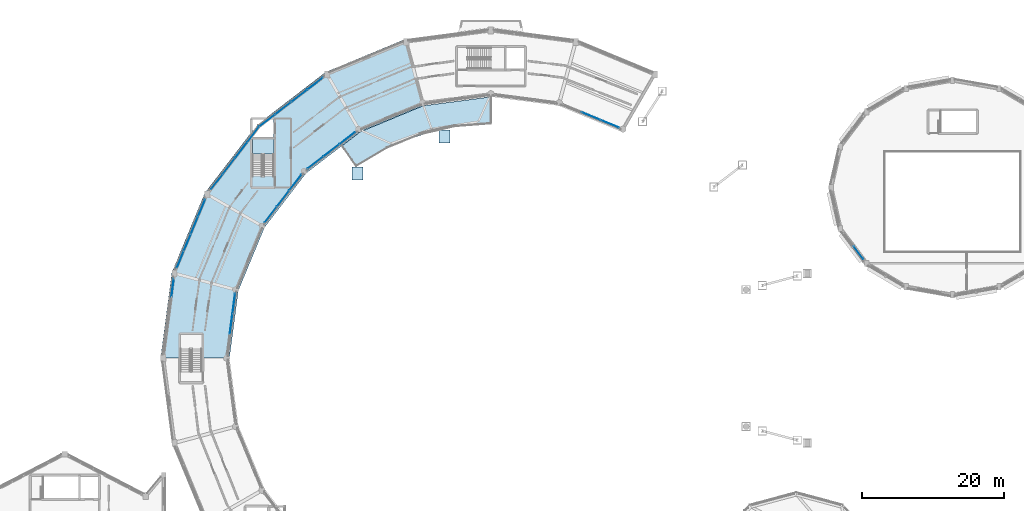
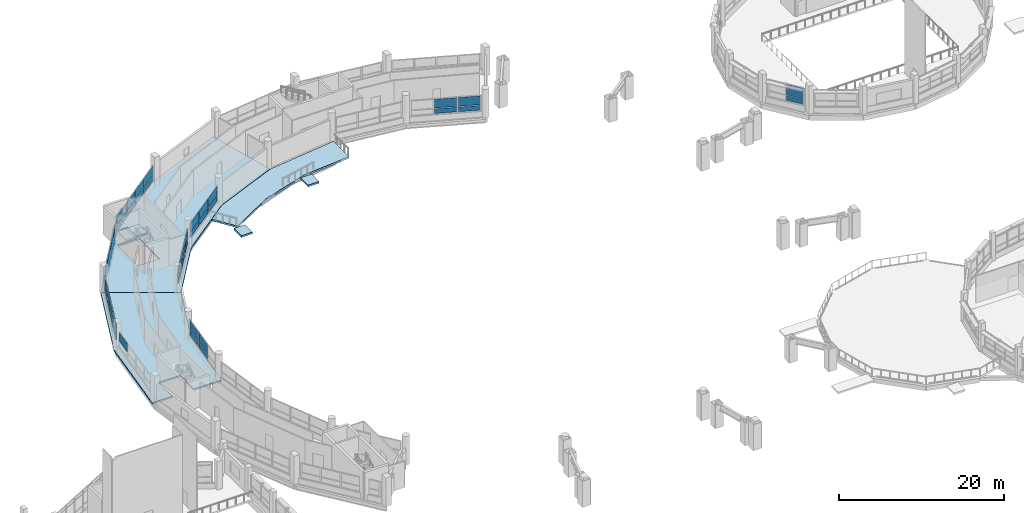
# One storey, part 103 of 128: 47 plates, 6 slabs, 10 elements without a shape of their own.
"""IFC4 building model written with IfcOpenShell, lengths in metres."""

from ifc_helpers import new_model, si_unit, direction, frame, origin, origin_2d, place, context, subcontext, project, spatial, polyline, rectangle, outline, extrude, material, layer, layer_set, type_object, element, aggregate, save


model = new_model("IFC4")

# Units and contexts
model_context = context("Model", 3, precision=1e-05, world=origin(), true_north=direction((0.0, 1.0)))
body_context = subcontext(model_context, "Body", "Model", "MODEL_VIEW")
ifc_project = project(units=[si_unit("LENGTHUNIT", "METRE"), si_unit("AREAUNIT", "SQUARE_METRE"), si_unit("VOLUMEUNIT", "CUBIC_METRE"), si_unit("PLANEANGLEUNIT", "RADIAN"), si_unit("MASSUNIT", "GRAM", prefix="KILO")], contexts=[model_context])

# Site, building, storey
site_placement = place(None, origin())
site = spatial("IfcSite", under=ifc_project, at=site_placement, CompositionType="ELEMENT")
building_placement = place(site_placement, origin())
building = spatial("IfcBuilding", under=site, at=building_placement, Name="Vespera Passage Community Centre", CompositionType="ELEMENT")
storey_placement = place(building_placement, frame((0.0, 0.0, 4.5)))
storey = spatial("IfcBuildingStorey", under=building, at=storey_placement, Name="L01", CompositionType="ELEMENT", Elevation=4.5)

# Curtain wall, plates
ifc_material_1 = material(Name="Anodized aluminium 6063-T6", Category="aluminium")
ifc_layer_1 = layer(ifc_material_1, 0.159912109375)
ifc_layer_set_1 = layer_set([ifc_layer_1], Name="Anodized aluminium 6063-T6")
curtain_wall_type_1 = type_object("IfcCurtainWallType", Name="CW-18E", PredefinedType="NOTDEFINED", material=ifc_layer_set_1)
curtain_wall_1_placement = place(storey_placement, origin())
curtain_wall_1 = element("IfcCurtainWall", 1, at=curtain_wall_1_placement, inside=storey, type_object=curtain_wall_type_1, Name="V4 L01 Outer Ribbon Curtain Wall 9", PredefinedType="NOTDEFINED")
ifc_material_2 = material(Name="Low-E insulated vision glass", Category="glass")
ifc_layer_2 = layer(ifc_material_2, 0.02001953125)
ifc_layer_set_2 = layer_set([ifc_layer_2], Name="Low-E insulated vision glass")
plate_type_1 = type_object("IfcPlateType", Name="PL-CWP-20E", PredefinedType="CURTAIN_PANEL", material=ifc_layer_set_2)
plate_1_placement = place(storey_placement, frame((39.444580078125, 90.333251953125, 0.919921875), z_axis=(0.0, 0.0, 1.0), x_axis=(0.608765222978, 0.793350429062, 0.0)))
plate_1 = element("IfcPlate", 2, at=plate_1_placement, type_object=plate_type_1, Name="CW-18E panel 1.1", PredefinedType="CURTAIN_PANEL", context=body_context, shape_type="SweptSolid", body=[
    extrude(rectangle(XDim=2.703369140625, YDim=0.02001953125, at=origin_2d()), origin(), (0.0, 0.0, 1.0), 0.699951171875),
])
plate_2_placement = place(storey_placement, frame((39.444580078125, 90.333251953125, 1.719970703125), z_axis=(0.0, 0.0, 1.0), x_axis=(0.608765222978, 0.793350429062, 0.0)))
plate_2 = element("IfcPlate", 3, at=plate_2_placement, type_object=plate_type_1, Name="CW-18E panel 1.2", PredefinedType="CURTAIN_PANEL", context=body_context, shape_type="SweptSolid", body=[
    extrude(rectangle(XDim=2.703369140625, YDim=0.02001953125, at=origin_2d()), origin(), (0.0, 0.0, 1.0), 1.2255859375),
])
plate_3_placement = place(storey_placement, frame((41.1396484375, 92.54248046875, 0.919921875), z_axis=(0.0, 0.0, 1.0), x_axis=(0.608765222978, 0.793350429062, 0.0)))
plate_3 = element("IfcPlate", 4, at=plate_3_placement, type_object=plate_type_1, Name="CW-18E panel 2.1", PredefinedType="CURTAIN_PANEL", context=body_context, shape_type="SweptSolid", body=[
    extrude(rectangle(XDim=2.73583984375, YDim=0.02001953125, at=origin_2d()), origin(), (0.0, 0.0, 1.0), 0.699951171875),
])
plate_4_placement = place(storey_placement, frame((41.1396484375, 92.54248046875, 1.719970703125), z_axis=(0.0, 0.0, 1.0), x_axis=(0.608765222978, 0.793350429062, 0.0)))
plate_4 = element("IfcPlate", 5, at=plate_4_placement, type_object=plate_type_1, Name="CW-18E panel 2.2", PredefinedType="CURTAIN_PANEL", context=body_context, shape_type="SweptSolid", body=[
    extrude(rectangle(XDim=2.73583984375, YDim=0.02001953125, at=origin_2d()), origin(), (0.0, 0.0, 1.0), 1.2255859375),
])
plate_5_placement = place(storey_placement, frame((42.8447265625, 94.764404296875, 0.919921875), z_axis=(0.0, 0.0, 1.0), x_axis=(0.608765222978, 0.793350429062, 0.0)))
plate_5 = element("IfcPlate", 6, at=plate_5_placement, type_object=plate_type_1, Name="CW-18E panel 3.1", PredefinedType="CURTAIN_PANEL", context=body_context, shape_type="SweptSolid", body=[
    extrude(rectangle(XDim=2.73583984375, YDim=0.02001953125, at=origin_2d()), origin(), (0.0, 0.0, 1.0), 0.699951171875),
])
plate_6_placement = place(storey_placement, frame((42.8447265625, 94.764404296875, 1.719970703125), z_axis=(0.0, 0.0, 1.0), x_axis=(0.608765222978, 0.793350429062, 0.0)))
plate_6 = element("IfcPlate", 7, at=plate_6_placement, type_object=plate_type_1, Name="CW-18E panel 3.2", PredefinedType="CURTAIN_PANEL", context=body_context, shape_type="SweptSolid", body=[
    extrude(rectangle(XDim=2.73583984375, YDim=0.02001953125, at=origin_2d()), origin(), (0.0, 0.0, 1.0), 1.2255859375),
])
plate_7_placement = place(storey_placement, frame((44.5400390625, 96.9736328125, 0.919921875), z_axis=(0.0, 0.0, 1.0), x_axis=(0.608765222978, 0.793350429062, 0.0)))
plate_7 = element("IfcPlate", 8, at=plate_7_placement, type_object=plate_type_1, Name="CW-18E panel 4.1", PredefinedType="CURTAIN_PANEL", context=body_context, shape_type="SweptSolid", body=[
    extrude(rectangle(XDim=2.703369140625, YDim=0.02001953125, at=origin_2d()), origin(), (0.0, 0.0, 1.0), 0.699951171875),
])
plate_8_placement = place(storey_placement, frame((44.5400390625, 96.9736328125, 1.719970703125), z_axis=(0.0, 0.0, 1.0), x_axis=(0.608765222978, 0.793350429062, 0.0)))
plate_8 = element("IfcPlate", 9, at=plate_8_placement, type_object=plate_type_1, Name="CW-18E panel 4.2", PredefinedType="CURTAIN_PANEL", context=body_context, shape_type="SweptSolid", body=[
    extrude(rectangle(XDim=2.703369140625, YDim=0.02001953125, at=origin_2d()), origin(), (0.0, 0.0, 1.0), 1.2255859375),
])
aggregate(curtain_wall_1, [plate_1, plate_2, plate_3, plate_4, plate_5, plate_6, plate_7, plate_8])

ifc_material_3 = material(Name="Anodized aluminium 6063-T6", Category="aluminium")
ifc_layer_3 = layer(ifc_material_3, 0.159912109375)
ifc_layer_set_3 = layer_set([ifc_layer_3], Name="Anodized aluminium 6063-T6")
curtain_wall_type_2 = type_object("IfcCurtainWallType", Name="CW-19E", PredefinedType="NOTDEFINED", material=ifc_layer_set_3)
curtain_wall_2_placement = place(storey_placement, origin())
curtain_wall_2 = element("IfcCurtainWall", 10, at=curtain_wall_2_placement, inside=storey, type_object=curtain_wall_type_2, Name="V4 L01 Inner Court Curtain Wall 9", PredefinedType="NOTDEFINED")
plate_9_placement = place(storey_placement, frame((50.458251953125, 90.191650390625, 0.8798828125), z_axis=(0.0, 0.0, 1.0), x_axis=(-0.608755087843, -0.793358205999, 0.0)))
plate_9 = element("IfcPlate", 11, at=plate_9_placement, type_object=plate_type_1, Name="CW-19E panel 1.1", PredefinedType="CURTAIN_PANEL", context=body_context, shape_type="SweptSolid", body=[
    extrude(rectangle(XDim=2.72900390625, YDim=0.02001953125, at=origin_2d()), origin(), (0.0, 0.0, 1.0), 0.760009765625),
])
plate_10_placement = place(storey_placement, frame((50.458251953125, 90.191650390625, 1.7001953125), z_axis=(0.0, 0.0, 1.0), x_axis=(-0.608755087843, -0.793358205999, 0.0)))
plate_10 = element("IfcPlate", 12, at=plate_10_placement, type_object=plate_type_1, Name="CW-19E panel 1.2", PredefinedType="CURTAIN_PANEL", context=body_context, shape_type="SweptSolid", body=[
    extrude(rectangle(XDim=2.72900390625, YDim=0.02001953125, at=origin_2d()), origin(), (0.0, 0.0, 1.0), 1.369384765625),
])
plate_11_placement = place(storey_placement, frame((48.73974609375, 87.9521484375, 0.8798828125), z_axis=(0.0, 0.0, 1.0), x_axis=(-0.608755087843, -0.793358205999, 0.0)))
plate_11 = element("IfcPlate", 13, at=plate_11_placement, type_object=plate_type_1, Name="CW-19E panel 2.1", PredefinedType="CURTAIN_PANEL", context=body_context, shape_type="SweptSolid", body=[
    extrude(rectangle(XDim=2.7666015625, YDim=0.02001953125, at=origin_2d()), origin(), (0.0, 0.0, 1.0), 0.760009765625),
])
plate_12_placement = place(storey_placement, frame((48.73974609375, 87.9521484375, 1.7001953125), z_axis=(0.0, 0.0, 1.0), x_axis=(-0.608755087843, -0.793358205999, 0.0)))
plate_12 = element("IfcPlate", 14, at=plate_12_placement, type_object=plate_type_1, Name="CW-19E panel 2.2", PredefinedType="CURTAIN_PANEL", context=body_context, shape_type="SweptSolid", body=[
    extrude(rectangle(XDim=2.7666015625, YDim=0.02001953125, at=origin_2d()), origin(), (0.0, 0.0, 1.0), 1.369384765625),
])
plate_13_placement = place(storey_placement, frame((47.021240234375, 85.712646484375, 0.8798828125), z_axis=(0.0, 0.0, 1.0), x_axis=(-0.608755087843, -0.793358205999, 0.0)))
plate_13 = element("IfcPlate", 15, at=plate_13_placement, type_object=plate_type_1, Name="CW-19E panel 3.1", PredefinedType="CURTAIN_PANEL", context=body_context, shape_type="SweptSolid", body=[
    extrude(rectangle(XDim=2.72900390625, YDim=0.02001953125, at=origin_2d()), origin(), (0.0, 0.0, 1.0), 0.760009765625),
])
plate_14_placement = place(storey_placement, frame((47.021240234375, 85.712646484375, 1.7001953125), z_axis=(0.0, 0.0, 1.0), x_axis=(-0.608755087843, -0.793358205999, 0.0)))
plate_14 = element("IfcPlate", 16, at=plate_14_placement, type_object=plate_type_1, Name="CW-19E panel 3.2", PredefinedType="CURTAIN_PANEL", context=body_context, shape_type="SweptSolid", body=[
    extrude(rectangle(XDim=2.72900390625, YDim=0.02001953125, at=origin_2d()), origin(), (0.0, 0.0, 1.0), 1.369384765625),
])
aggregate(curtain_wall_2, [plate_9, plate_10, plate_11, plate_12, plate_13, plate_14])

ifc_material_4 = material(Name="Anodized aluminium 6063-T6", Category="aluminium")
ifc_layer_4 = layer(ifc_material_4, 0.159912109375)
ifc_layer_set_4 = layer_set([ifc_layer_4], Name="Anodized aluminium 6063-T6")
curtain_wall_type_3 = type_object("IfcCurtainWallType", Name="CW-12E", PredefinedType="NOTDEFINED", material=ifc_layer_set_4)
curtain_wall_3_placement = place(storey_placement, origin())
curtain_wall_3 = element("IfcCurtainWall", 17, at=curtain_wall_3_placement, inside=storey, type_object=curtain_wall_type_3, Name="V4 L01 Inner Court Curtain Wall 4", PredefinedType="NOTDEFINED")
ifc_material_5 = material(Name="Low-E insulated vision glass", Category="glass")
ifc_layer_5 = layer(ifc_material_5, 0.028076171875)
ifc_layer_set_5 = layer_set([ifc_layer_5], Name="Low-E insulated vision glass")
plate_type_2 = type_object("IfcPlateType", Name="PL-CWP-28E", PredefinedType="CURTAIN_PANEL", material=ifc_layer_set_5)
plate_15_placement = place(storey_placement, frame((94.7548828125, 98.480224609375, 0.919921875), z_axis=(0.0, 0.0, 1.0), x_axis=(-0.923876620096, 0.382690463482, 0.0)))
plate_15 = element("IfcPlate", 18, at=plate_15_placement, type_object=plate_type_2, Name="CW-12E panel 1.1", PredefinedType="CURTAIN_PANEL", context=body_context, shape_type="SweptSolid", body=[
    extrude(rectangle(XDim=2.7646484375, YDim=0.028076171875, at=origin_2d()), origin(), (0.0, 0.0, 1.0), 0.699951171875),
])
plate_16_placement = place(storey_placement, frame((94.7548828125, 98.480224609375, 1.719970703125), z_axis=(0.0, 0.0, 1.0), x_axis=(-0.923876620096, 0.382690463482, 0.0)))
plate_16 = element("IfcPlate", 19, at=plate_16_placement, type_object=plate_type_2, Name="CW-12E panel 1.2", PredefinedType="CURTAIN_PANEL", context=body_context, shape_type="SweptSolid", body=[
    extrude(rectangle(XDim=2.7646484375, YDim=0.028076171875, at=origin_2d()), origin(), (0.0, 0.0, 1.0), 1.3095703125),
])
plate_17_placement = place(storey_placement, frame((92.114013671875, 99.57421875, 0.919921875), z_axis=(0.0, 0.0, 1.0), x_axis=(-0.923876620096, 0.382690463482, 0.0)))
plate_17 = element("IfcPlate", 20, at=plate_17_placement, type_object=plate_type_2, Name="CW-12E panel 2.1", PredefinedType="CURTAIN_PANEL", context=body_context, shape_type="SweptSolid", body=[
    extrude(rectangle(XDim=2.80224609375, YDim=0.028076171875, at=origin_2d()), origin(), (0.0, 0.0, 1.0), 0.699951171875),
])
plate_18_placement = place(storey_placement, frame((92.114013671875, 99.57421875, 1.719970703125), z_axis=(0.0, 0.0, 1.0), x_axis=(-0.923876620096, 0.382690463482, 0.0)))
plate_18 = element("IfcPlate", 21, at=plate_18_placement, type_object=plate_type_2, Name="CW-12E panel 2.2", PredefinedType="CURTAIN_PANEL", context=body_context, shape_type="SweptSolid", body=[
    extrude(rectangle(XDim=2.80224609375, YDim=0.028076171875, at=origin_2d()), origin(), (0.0, 0.0, 1.0), 1.3095703125),
])
aggregate(curtain_wall_3, [plate_15, plate_16, plate_17, plate_18])

ifc_material_6 = material(Name="Anodized aluminium 6063-T6", Category="aluminium")
ifc_layer_6 = layer(ifc_material_6, 0.159912109375)
ifc_layer_set_6 = layer_set([ifc_layer_6], Name="Anodized aluminium 6063-T6")
curtain_wall_type_4 = type_object("IfcCurtainWallType", Name="CW-20E", PredefinedType="NOTDEFINED", material=ifc_layer_set_6)
curtain_wall_4_placement = place(storey_placement, origin())
curtain_wall_4 = element("IfcCurtainWall", 22, at=curtain_wall_4_placement, inside=storey, type_object=curtain_wall_type_4, Name="V4 L01 Outer Ribbon Curtain Wall 10", PredefinedType="NOTDEFINED")
plate_19_placement = place(storey_placement, frame((34.270751953125, 79.36279296875, 0.8798828125), z_axis=(0.0, 0.0, 1.0), x_axis=(0.382679142535, 0.923881309405, 0.0)))
plate_19 = element("IfcPlate", 23, at=plate_19_placement, type_object=plate_type_2, Name="CW-20E panel 1.1", PredefinedType="CURTAIN_PANEL", context=body_context, shape_type="SweptSolid", body=[
    extrude(rectangle(XDim=2.51806640625, YDim=0.028076171875, at=origin_2d()), origin(), (0.0, 0.0, 1.0), 0.760009765625),
])
plate_20_placement = place(storey_placement, frame((34.270751953125, 79.36279296875, 1.699951171875), z_axis=(0.0, 0.0, 1.0), x_axis=(0.382679142535, 0.923881309405, 0.0)))
plate_20 = element("IfcPlate", 24, at=plate_20_placement, type_object=plate_type_2, Name="CW-20E panel 1.2", PredefinedType="CURTAIN_PANEL", context=body_context, shape_type="SweptSolid", body=[
    extrude(rectangle(XDim=2.51806640625, YDim=0.028076171875, at=origin_2d()), origin(), (0.0, 0.0, 1.0), 1.28564453125),
])
plate_21_placement = place(storey_placement, frame((35.270263671875, 81.775634765625, 0.8798828125), z_axis=(0.0, 0.0, 1.0), x_axis=(0.382679142535, 0.923881309405, 0.0)))
plate_21 = element("IfcPlate", 25, at=plate_21_placement, type_object=plate_type_2, Name="CW-20E panel 2.1", PredefinedType="CURTAIN_PANEL", context=body_context, shape_type="SweptSolid", body=[
    extrude(rectangle(XDim=2.555419921875, YDim=0.028076171875, at=origin_2d()), origin(), (0.0, 0.0, 1.0), 0.760009765625),
])
plate_22_placement = place(storey_placement, frame((35.270263671875, 81.775634765625, 1.699951171875), z_axis=(0.0, 0.0, 1.0), x_axis=(0.382679142535, 0.923881309405, 0.0)))
plate_22 = element("IfcPlate", 26, at=plate_22_placement, type_object=plate_type_2, Name="CW-20E panel 2.2", PredefinedType="CURTAIN_PANEL", context=body_context, shape_type="SweptSolid", body=[
    extrude(rectangle(XDim=2.555419921875, YDim=0.028076171875, at=origin_2d()), origin(), (0.0, 0.0, 1.0), 1.28564453125),
])
plate_23_placement = place(storey_placement, frame((36.27685546875, 84.2060546875, 0.8798828125), z_axis=(0.0, 0.0, 1.0), x_axis=(0.382679142535, 0.923881309405, 0.0)))
plate_23 = element("IfcPlate", 27, at=plate_23_placement, type_object=plate_type_2, Name="CW-20E panel 3.1", PredefinedType="CURTAIN_PANEL", context=body_context, shape_type="SweptSolid", body=[
    extrude(rectangle(XDim=2.555419921875, YDim=0.028076171875, at=origin_2d()), origin(), (0.0, 0.0, 1.0), 0.760009765625),
])
plate_24_placement = place(storey_placement, frame((36.27685546875, 84.2060546875, 1.699951171875), z_axis=(0.0, 0.0, 1.0), x_axis=(0.382679142535, 0.923881309405, 0.0)))
plate_24 = element("IfcPlate", 28, at=plate_24_placement, type_object=plate_type_2, Name="CW-20E panel 3.2", PredefinedType="CURTAIN_PANEL", context=body_context, shape_type="SweptSolid", body=[
    extrude(rectangle(XDim=2.555419921875, YDim=0.028076171875, at=origin_2d()), origin(), (0.0, 0.0, 1.0), 1.28564453125),
])
plate_25_placement = place(storey_placement, frame((37.2763671875, 86.618896484375, 0.8798828125), z_axis=(0.0, 0.0, 1.0), x_axis=(0.382679142535, 0.923881309405, 0.0)))
plate_25 = element("IfcPlate", 29, at=plate_25_placement, type_object=plate_type_2, Name="CW-20E panel 4.1", PredefinedType="CURTAIN_PANEL", context=body_context, shape_type="SweptSolid", body=[
    extrude(rectangle(XDim=2.51806640625, YDim=0.028076171875, at=origin_2d()), origin(), (0.0, 0.0, 1.0), 0.760009765625),
])
plate_26_placement = place(storey_placement, frame((37.2763671875, 86.618896484375, 1.699951171875), z_axis=(0.0, 0.0, 1.0), x_axis=(0.382679142535, 0.923881309405, 0.0)))
plate_26 = element("IfcPlate", 30, at=plate_26_placement, type_object=plate_type_2, Name="CW-20E panel 4.2", PredefinedType="CURTAIN_PANEL", context=body_context, shape_type="SweptSolid", body=[
    extrude(rectangle(XDim=2.51806640625, YDim=0.028076171875, at=origin_2d()), origin(), (0.0, 0.0, 1.0), 1.28564453125),
])
aggregate(curtain_wall_4, [plate_19, plate_20, plate_21, plate_22, plate_23, plate_24, plate_25, plate_26])

ifc_material_7 = material(Name="Anodized aluminium 6063-T6", Category="aluminium")
ifc_layer_7 = layer(ifc_material_7, 0.159912109375)
ifc_layer_set_7 = layer_set([ifc_layer_7], Name="Anodized aluminium 6063-T6")
curtain_wall_type_5 = type_object("IfcCurtainWallType", Name="CW-96E", PredefinedType="NOTDEFINED", material=ifc_layer_set_7)
curtain_wall_5_placement = place(storey_placement, origin())
curtain_wall_5 = element("IfcCurtainWall", 31, at=curtain_wall_5_placement, inside=storey, type_object=curtain_wall_type_5, Name="Sports Drum Ribbon Curtain Wall L01.10", PredefinedType="NOTDEFINED")
plate_27_placement = place(storey_placement, frame((129.755615234375, 80.34619140625, 0.91015625), z_axis=(0.0, 0.0, 1.0), x_axis=(-0.603405522961, 0.797434495654, 0.0)))
plate_27 = element("IfcPlate", 32, at=plate_27_placement, type_object=plate_type_2, Name="CW-96E panel 1.1", PredefinedType="CURTAIN_PANEL", context=body_context, shape_type="SweptSolid", body=[
    extrude(rectangle(XDim=2.246826171875, YDim=0.028076171875, at=origin_2d()), origin(), (0.0, 0.0, 1.0), 0.760009765625),
])
plate_28_placement = place(storey_placement, frame((129.755615234375, 80.34619140625, 1.72998046875), z_axis=(0.0, 0.0, 1.0), x_axis=(-0.603405522961, 0.797434495654, 0.0)))
plate_28 = element("IfcPlate", 33, at=plate_28_placement, type_object=plate_type_2, Name="CW-96E panel 1.2", PredefinedType="CURTAIN_PANEL", context=body_context, shape_type="SweptSolid", body=[
    extrude(rectangle(XDim=2.246826171875, YDim=0.028076171875, at=origin_2d()), origin(), (0.0, 0.0, 1.0), 1.574951171875),
])
aggregate(curtain_wall_5, [plate_27, plate_28])

ifc_material_8 = material(Name="Anodized aluminium 6063-T6", Category="aluminium")
ifc_layer_8 = layer(ifc_material_8, 0.159912109375)
ifc_layer_set_8 = layer_set([ifc_layer_8], Name="Anodized aluminium 6063-T6")
curtain_wall_type_6 = type_object("IfcCurtainWallType", Name="CW-17E", PredefinedType="NOTDEFINED", material=ifc_layer_set_8)
curtain_wall_6_placement = place(storey_placement, origin())
curtain_wall_6 = element("IfcCurtainWall", 34, at=curtain_wall_6_placement, inside=storey, type_object=curtain_wall_type_6, Name="V4 L01 Inner Court Curtain Wall 8", PredefinedType="NOTDEFINED")
ifc_material_9 = material(Name="Acoustic triple-glazed vision glass", Category="glass")
ifc_layer_9 = layer(ifc_material_9, 0.035888671875)
ifc_layer_set_9 = layer_set([ifc_layer_9], Name="Acoustic triple-glazed vision glass")
plate_type_3 = type_object("IfcPlateType", Name="PL-CWP-36E", PredefinedType="CURTAIN_PANEL", material=ifc_layer_set_9)
plate_29_placement = place(storey_placement, frame((57.789306640625, 96.480224609375, 0.919921875), z_axis=(0.0, 0.0, 1.0), x_axis=(-0.793358205999, -0.608755087843, 0.0)))
plate_29 = element("IfcPlate", 35, at=plate_29_placement, type_object=plate_type_3, Name="CW-17E panel 1.1", PredefinedType="CURTAIN_PANEL", context=body_context, shape_type="SweptSolid", body=[
    extrude(rectangle(XDim=2.744140625, YDim=0.035888671875, at=origin_2d()), origin(), (0.0, 0.0, 1.0), 0.699951171875),
])
plate_30_placement = place(storey_placement, frame((57.789306640625, 96.480224609375, 1.719970703125), z_axis=(0.0, 0.0, 1.0), x_axis=(-0.793358205999, -0.608755087843, 0.0)))
plate_30 = element("IfcPlate", 36, at=plate_30_placement, type_object=plate_type_3, Name="CW-17E panel 1.2", PredefinedType="CURTAIN_PANEL", context=body_context, shape_type="SweptSolid", body=[
    extrude(rectangle(XDim=2.744140625, YDim=0.035888671875, at=origin_2d()), origin(), (0.0, 0.0, 1.0), 1.3095703125),
])
plate_31_placement = place(storey_placement, frame((55.5478515625, 94.76025390625, 0.919921875), z_axis=(0.0, 0.0, 1.0), x_axis=(-0.793358205999, -0.608755087843, 0.0)))
plate_31 = element("IfcPlate", 37, at=plate_31_placement, type_object=plate_type_3, Name="CW-17E panel 2.1", PredefinedType="CURTAIN_PANEL", context=body_context, shape_type="SweptSolid", body=[
    extrude(rectangle(XDim=2.776611328125, YDim=0.035888671875, at=origin_2d()), origin(), (0.0, 0.0, 1.0), 0.699951171875),
])
plate_32_placement = place(storey_placement, frame((55.5478515625, 94.76025390625, 1.719970703125), z_axis=(0.0, 0.0, 1.0), x_axis=(-0.793358205999, -0.608755087843, 0.0)))
plate_32 = element("IfcPlate", 38, at=plate_32_placement, type_object=plate_type_3, Name="CW-17E panel 2.2", PredefinedType="CURTAIN_PANEL", context=body_context, shape_type="SweptSolid", body=[
    extrude(rectangle(XDim=2.776611328125, YDim=0.035888671875, at=origin_2d()), origin(), (0.0, 0.0, 1.0), 1.3095703125),
])
plate_33_placement = place(storey_placement, frame((53.306396484375, 93.040283203125, 0.919921875), z_axis=(0.0, 0.0, 1.0), x_axis=(-0.793358205999, -0.608755087843, 0.0)))
plate_33 = element("IfcPlate", 39, at=plate_33_placement, type_object=plate_type_3, Name="CW-17E panel 3.1", PredefinedType="CURTAIN_PANEL", context=body_context, shape_type="SweptSolid", body=[
    extrude(rectangle(XDim=2.744140625, YDim=0.035888671875, at=origin_2d()), origin(), (0.0, 0.0, 1.0), 0.699951171875),
])
plate_34_placement = place(storey_placement, frame((53.306396484375, 93.040283203125, 1.719970703125), z_axis=(0.0, 0.0, 1.0), x_axis=(-0.793358205999, -0.608755087843, 0.0)))
plate_34 = element("IfcPlate", 40, at=plate_34_placement, type_object=plate_type_3, Name="CW-17E panel 3.2", PredefinedType="CURTAIN_PANEL", context=body_context, shape_type="SweptSolid", body=[
    extrude(rectangle(XDim=2.744140625, YDim=0.035888671875, at=origin_2d()), origin(), (0.0, 0.0, 1.0), 1.3095703125),
])
aggregate(curtain_wall_6, [plate_29, plate_30, plate_31, plate_32, plate_33, plate_34])

# Curtain wall, plate
ifc_material_10 = material(Name="Anodized aluminium 6063-T6", Category="aluminium")
ifc_layer_10 = layer(ifc_material_10, 0.159912109375)
ifc_layer_set_10 = layer_set([ifc_layer_10], Name="Anodized aluminium 6063-T6")
curtain_wall_type_7 = type_object("IfcCurtainWallType", Name="CW-21E", PredefinedType="NOTDEFINED", material=ifc_layer_set_10)
curtain_wall_7_placement = place(storey_placement, origin())
curtain_wall_7 = element("IfcCurtainWall", 41, at=curtain_wall_7_placement, inside=storey, type_object=curtain_wall_type_7, Name="V4 L01 Outer Ribbon Curtain Wall 11", PredefinedType="NOTDEFINED")
plate_35_placement = place(storey_placement, frame((33.20166015625, 75.38671875, 1.719970703125), z_axis=(0.0, 0.0, 1.0), x_axis=(0.130522869458, 0.991445298818, 0.0)))
plate_35 = element("IfcPlate", 42, at=plate_35_placement, type_object=plate_type_3, Name="CW-21E panel 4.2", PredefinedType="CURTAIN_PANEL", context=body_context, shape_type="SweptSolid", body=[
    extrude(rectangle(XDim=2.536376953125, YDim=0.035888671875, at=origin_2d()), origin(), (0.0, 0.0, 1.0), 1.2255859375),
])
aggregate(curtain_wall_7, [plate_35])

# Curtain wall, plates
ifc_material_11 = material(Name="Anodized aluminium 6063-T6", Category="aluminium")
ifc_layer_11 = layer(ifc_material_11, 0.159912109375)
ifc_layer_set_11 = layer_set([ifc_layer_11], Name="Anodized aluminium 6063-T6")
curtain_wall_type_8 = type_object("IfcCurtainWallType", Name="CW-14E", PredefinedType="NOTDEFINED", material=ifc_layer_set_11)
curtain_wall_8_placement = place(storey_placement, origin())
curtain_wall_8 = element("IfcCurtainWall", 43, at=curtain_wall_8_placement, inside=storey, type_object=curtain_wall_type_8, Name="V4 L01 Inner Court Curtain Wall 11", PredefinedType="NOTDEFINED")
plate_36_placement = place(storey_placement, frame((41.80908203125, 73.165283203125, 0.8798828125), z_axis=(0.0, 0.0, 1.0), x_axis=(-0.1305221941, -0.991445387728, 0.0)))
plate_36 = element("IfcPlate", 44, at=plate_36_placement, type_object=plate_type_3, Name="CW-14E panel 1.1", PredefinedType="CURTAIN_PANEL", context=body_context, shape_type="SweptSolid", body=[
    extrude(rectangle(XDim=2.79443359375, YDim=0.035888671875, at=origin_2d()), origin(), (0.0, 0.0, 1.0), 0.760009765625),
])
plate_37_placement = place(storey_placement, frame((41.80908203125, 73.165283203125, 1.7001953125), z_axis=(0.0, 0.0, 1.0), x_axis=(-0.1305221941, -0.991445387728, 0.0)))
plate_37 = element("IfcPlate", 45, at=plate_37_placement, type_object=plate_type_3, Name="CW-14E panel 1.2", PredefinedType="CURTAIN_PANEL", context=body_context, shape_type="SweptSolid", body=[
    extrude(rectangle(XDim=2.79443359375, YDim=0.035888671875, at=origin_2d()), origin(), (0.0, 0.0, 1.0), 1.369384765625),
])
plate_38_placement = place(storey_placement, frame((41.433837890625, 70.31396484375, 0.8798828125), z_axis=(0.0, 0.0, 1.0), x_axis=(-0.1305221941, -0.991445387728, 0.0)))
plate_38 = element("IfcPlate", 46, at=plate_38_placement, type_object=plate_type_3, Name="CW-14E panel 2.1", PredefinedType="CURTAIN_PANEL", context=body_context, shape_type="SweptSolid", body=[
    extrude(rectangle(XDim=2.826904296875, YDim=0.035888671875, at=origin_2d()), origin(), (0.0, 0.0, 1.0), 0.760009765625),
])
plate_39_placement = place(storey_placement, frame((41.433837890625, 70.31396484375, 1.7001953125), z_axis=(0.0, 0.0, 1.0), x_axis=(-0.1305221941, -0.991445387728, 0.0)))
plate_39 = element("IfcPlate", 47, at=plate_39_placement, type_object=plate_type_3, Name="CW-14E panel 2.2", PredefinedType="CURTAIN_PANEL", context=body_context, shape_type="SweptSolid", body=[
    extrude(rectangle(XDim=2.826904296875, YDim=0.035888671875, at=origin_2d()), origin(), (0.0, 0.0, 1.0), 1.369384765625),
])
aggregate(curtain_wall_8, [plate_36, plate_37, plate_38, plate_39])

ifc_material_12 = material(Name="Anodized aluminium 6063-T6", Category="aluminium")
ifc_layer_12 = layer(ifc_material_12, 0.159912109375)
ifc_layer_set_12 = layer_set([ifc_layer_12], Name="Anodized aluminium 6063-T6")
curtain_wall_type_9 = type_object("IfcCurtainWallType", Name="CW-16E", PredefinedType="NOTDEFINED", material=ifc_layer_set_12)
curtain_wall_9_placement = place(storey_placement, origin())
curtain_wall_9 = element("IfcCurtainWall", 48, at=curtain_wall_9_placement, inside=storey, type_object=curtain_wall_type_9, Name="V4 L01 Outer Ribbon Curtain Wall 8", PredefinedType="NOTDEFINED")
ifc_material_13 = material(Name="Translucent glass block", Category="glass")
ifc_layer_13 = layer(ifc_material_13, 0.044921875)
ifc_layer_set_13 = layer_set([ifc_layer_13], Name="Translucent glass block")
plate_type_4 = type_object("IfcPlateType", Name="PL-CWP-45E", PredefinedType="CURTAIN_PANEL", material=ifc_layer_set_13)
plate_40_placement = place(storey_placement, frame((46.54248046875, 98.972412109375, 0.8798828125), z_axis=(0.0, 0.0, 1.0), x_axis=(0.793348128169, 0.608768221519, 0.0)))
plate_40 = element("IfcPlate", 49, at=plate_40_placement, type_object=plate_type_4, Name="CW-16E panel 1.1", PredefinedType="CURTAIN_PANEL", context=body_context, shape_type="SweptSolid", body=[
    extrude(rectangle(XDim=2.72412109375, YDim=0.044921875, at=origin_2d()), origin(), (0.0, 0.0, 1.0), 0.760009765625),
])
plate_41_placement = place(storey_placement, frame((46.54248046875, 98.972412109375, 1.699951171875), z_axis=(0.0, 0.0, 1.0), x_axis=(0.793348128169, 0.608768221519, 0.0)))
plate_41 = element("IfcPlate", 50, at=plate_41_placement, type_object=plate_type_4, Name="CW-16E panel 1.2", PredefinedType="CURTAIN_PANEL", context=body_context, shape_type="SweptSolid", body=[
    extrude(rectangle(XDim=2.72412109375, YDim=0.044921875, at=origin_2d()), origin(), (0.0, 0.0, 1.0), 1.28564453125),
])
plate_42_placement = place(storey_placement, frame((48.778076171875, 100.68798828125, 0.8798828125), z_axis=(0.0, 0.0, 1.0), x_axis=(0.793348128169, 0.608768221519, 0.0)))
plate_42 = element("IfcPlate", 51, at=plate_42_placement, type_object=plate_type_4, Name="CW-16E panel 2.1", PredefinedType="CURTAIN_PANEL", context=body_context, shape_type="SweptSolid", body=[
    extrude(rectangle(XDim=2.76171875, YDim=0.044921875, at=origin_2d()), origin(), (0.0, 0.0, 1.0), 0.760009765625),
])
plate_43_placement = place(storey_placement, frame((48.778076171875, 100.68798828125, 1.699951171875), z_axis=(0.0, 0.0, 1.0), x_axis=(0.793348128169, 0.608768221519, 0.0)))
plate_43 = element("IfcPlate", 52, at=plate_43_placement, type_object=plate_type_4, Name="CW-16E panel 2.2", PredefinedType="CURTAIN_PANEL", context=body_context, shape_type="SweptSolid", body=[
    extrude(rectangle(XDim=2.76171875, YDim=0.044921875, at=origin_2d()), origin(), (0.0, 0.0, 1.0), 1.28564453125),
])
plate_44_placement = place(storey_placement, frame((51.028564453125, 102.414794921875, 0.8798828125), z_axis=(0.0, 0.0, 1.0), x_axis=(0.793348128169, 0.608768221519, 0.0)))
plate_44 = element("IfcPlate", 53, at=plate_44_placement, type_object=plate_type_4, Name="CW-16E panel 3.1", PredefinedType="CURTAIN_PANEL", context=body_context, shape_type="SweptSolid", body=[
    extrude(rectangle(XDim=2.76171875, YDim=0.044921875, at=origin_2d()), origin(), (0.0, 0.0, 1.0), 0.760009765625),
])
plate_45_placement = place(storey_placement, frame((51.028564453125, 102.414794921875, 1.699951171875), z_axis=(0.0, 0.0, 1.0), x_axis=(0.793348128169, 0.608768221519, 0.0)))
plate_45 = element("IfcPlate", 54, at=plate_45_placement, type_object=plate_type_4, Name="CW-16E panel 3.2", PredefinedType="CURTAIN_PANEL", context=body_context, shape_type="SweptSolid", body=[
    extrude(rectangle(XDim=2.76171875, YDim=0.044921875, at=origin_2d()), origin(), (0.0, 0.0, 1.0), 1.28564453125),
])
plate_46_placement = place(storey_placement, frame((53.26416015625, 104.13037109375, 0.8798828125), z_axis=(0.0, 0.0, 1.0), x_axis=(0.793348128169, 0.608768221519, 0.0)))
plate_46 = element("IfcPlate", 55, at=plate_46_placement, type_object=plate_type_4, Name="CW-16E panel 4.1", PredefinedType="CURTAIN_PANEL", context=body_context, shape_type="SweptSolid", body=[
    extrude(rectangle(XDim=2.72412109375, YDim=0.044921875, at=origin_2d()), origin(), (0.0, 0.0, 1.0), 0.760009765625),
])
plate_47_placement = place(storey_placement, frame((53.26416015625, 104.13037109375, 1.699951171875), z_axis=(0.0, 0.0, 1.0), x_axis=(0.793348128169, 0.608768221519, 0.0)))
plate_47 = element("IfcPlate", 56, at=plate_47_placement, type_object=plate_type_4, Name="CW-16E panel 4.2", PredefinedType="CURTAIN_PANEL", context=body_context, shape_type="SweptSolid", body=[
    extrude(rectangle(XDim=2.72412109375, YDim=0.044921875, at=origin_2d()), origin(), (0.0, 0.0, 1.0), 1.28564453125),
])
aggregate(curtain_wall_9, [plate_40, plate_41, plate_42, plate_43, plate_44, plate_45, plate_46, plate_47])

# Stair, slab
ifc_material_14 = material(Name="Concrete f'c 35 MPa", Category="concrete")
stair_type = type_object("IfcStairType", Name="ST-T01", PredefinedType="HALF_TURN_STAIR", material=ifc_material_14)
stair_placement = place(storey_placement, origin())
stair = element("IfcStair", 57, at=stair_placement, inside=storey, type_object=stair_type, Name="L01 Core C1 Exit Stair ST03", PredefinedType="HALF_TURN_STAIR")
ifc_material_15 = material(Name="Concrete f'c 35 MPa", Category="concrete")
ifc_layer_14 = layer(ifc_material_15, 0.199951171875)
ifc_layer_set_14 = layer_set([ifc_layer_14], Name="Concrete f'c 35 MPa")
slab_type_1 = type_object("IfcSlabType", Name="SL-LAND-200I", PredefinedType="LANDING", material=ifc_layer_set_14)
slab_1_placement = place(storey_placement, frame((0.0, 0.0, 1.89990234375)))
slab_1 = element("IfcSlab", 58, at=slab_1_placement, type_object=slab_type_1, Name="ST03 landing 1", PredefinedType="LANDING", context=body_context, shape_type="SweptSolid", body=[
    extrude(outline(polyline([(47.43310546875, 94.212890625), (47.43310546875, 96.327880859375), (44.43310546875, 96.327880859375), (44.43310546875, 94.212890625), (47.43310546875, 94.212890625)])), origin(), (0.0, 0.0, 1.0), 0.2001953125),
])
aggregate(stair, [slab_1])

# Slabs
ifc_material_16 = material(Name="Concrete f'c 35 MPa", Category="concrete")
ifc_layer_15 = layer(ifc_material_16, 0.260009765625)
ifc_layer_set_15 = layer_set([ifc_layer_15], Name="Concrete f'c 35 MPa")
slab_type_2 = type_object("IfcSlabType", Name="SL-RLAND-260E", PredefinedType="LANDING", material=ifc_layer_set_15)
slab_2_placement = place(storey_placement, frame((0.0, 0.0, -0.260009765625)))
element("IfcSlab", 59, at=slab_2_placement, inside=storey, type_object=slab_type_2, Name="ST-CRT-03 Arrival Belvedere Landing", PredefinedType="LANDING", context=body_context, shape_type="SweptSolid", body=[
    extrude(outline(polyline([(72.27490234375, 95.800048828125), (72.27490234375, 97.60009765625), (70.72509765625, 97.60009765625), (70.72509765625, 95.800048828125), (72.27490234375, 95.800048828125)])), origin(), (0.0, 0.0, 1.0), 0.260009765625),
])
slab_3_placement = place(storey_placement, frame((0.0, 0.0, -0.260009765625)))
element("IfcSlab", 60, at=slab_3_placement, inside=storey, type_object=slab_type_2, Name="ST-CRT-04 Arrival Belvedere Landing", PredefinedType="LANDING", context=body_context, shape_type="SweptSolid", body=[
    extrude(outline(polyline([(59.97509765625, 90.60009765625), (59.97509765625, 92.39990234375), (58.425048828125, 92.39990234375), (58.425048828125, 90.60009765625), (59.97509765625, 90.60009765625)])), origin(), (0.0, 0.0, 1.0), 0.260009765625),
])
ifc_material_17 = material(Name="Concrete f'c 35 MPa", Category="concrete")
ifc_layer_16 = layer(ifc_material_17, 0.260009765625)
ifc_layer_set_16 = layer_set([ifc_layer_16], Name="Concrete f'c 35 MPa")
slab_type_3 = type_object("IfcSlabType", Name="SL-TERR-260E", PredefinedType="FLOOR", material=ifc_layer_set_16)
slab_4_placement = place(storey_placement, frame((0.0, 0.0, -0.260009765625)))
element("IfcSlab", 61, at=slab_4_placement, inside=storey, type_object=slab_type_3, Name="V4 L01 Inner Courtyard Gallery Terrace Slab", PredefinedType="FLOOR", context=body_context, shape_type="SweptSolid", body=[
    extrude(outline(polyline([(78.0, 98.550048828125), (71.316650390625, 97.8671875), (64.90966796875, 95.846923828125), (59.043212890625, 92.572998046875), (57.064453125, 95.39892578125), (59.610107421875, 97.352294921875), (68.480712890625, 101.026611328125), (78.0, 102.27978515625), (78.0, 98.550048828125)])), origin(), (0.0, 0.0, 1.0), 0.260009765625),
])
ifc_material_18 = material(Name="Concrete f'c 35 MPa", Category="concrete")
ifc_layer_17 = layer(ifc_material_18, 0.239990234375)
ifc_layer_set_17 = layer_set([ifc_layer_17], Name="Concrete f'c 35 MPa")
slab_type_4 = type_object("IfcSlabType", Name="SL-TYP-240", PredefinedType="FLOOR", material=ifc_layer_set_17)
slab_5_placement = place(storey_placement, frame((0.0, 0.0, -0.239990234375)))
element("IfcSlab", 62, at=slab_5_placement, inside=storey, type_object=slab_type_4, Name="V4 L01 Annular Sector 2 Slab", PredefinedType="FLOOR", context=body_context, shape_type="SweptSolid", body=[
    extrude(outline(polyline([(59.60009765625, 97.36962890625), (51.978515625, 91.521484375), (46.13037109375, 83.89990234375), (37.729736328125, 88.75), (44.48291015625, 97.551025390625), (44.48291015625, 96.568115234375), (47.383056640625, 96.568115234375), (47.383056640625, 99.068115234375), (46.015380859375, 99.068115234375), (54.75, 105.770263671875), (65.96484375, 110.41552734375), (68.4755859375, 101.046142578125), (59.60009765625, 97.36962890625)]), holes=[polyline([(44.43310546875, 96.327880859375), (44.43310546875, 91.35791015625), (47.43310546875, 91.35791015625), (47.43310546875, 96.327880859375), (44.43310546875, 96.327880859375)])]), origin(), (0.0, 0.0, 1.0), 0.239990234375),
])
slab_6_placement = place(storey_placement, frame((0.0, 0.0, -0.239990234375)))
element("IfcSlab", 63, at=slab_6_placement, inside=storey, type_object=slab_type_4, Name="V4 L01 Annular Sector 3 Slab", PredefinedType="FLOOR", context=body_context, shape_type="SweptSolid", body=[
    extrude(outline(polyline([(31.5, 65.5), (33.08447265625, 77.53515625), (37.729736328125, 88.75), (46.13037109375, 83.89990234375), (42.453857421875, 75.0244140625), (41.199951171875, 65.5), (37.300048828125, 65.5), (37.300048828125, 68.824951171875), (34.300048828125, 68.824951171875), (34.300048828125, 65.5), (31.5, 65.5)])), origin(), (0.0, 0.0, 1.0), 0.239990234375),
])

save(model, "model.ifc")
